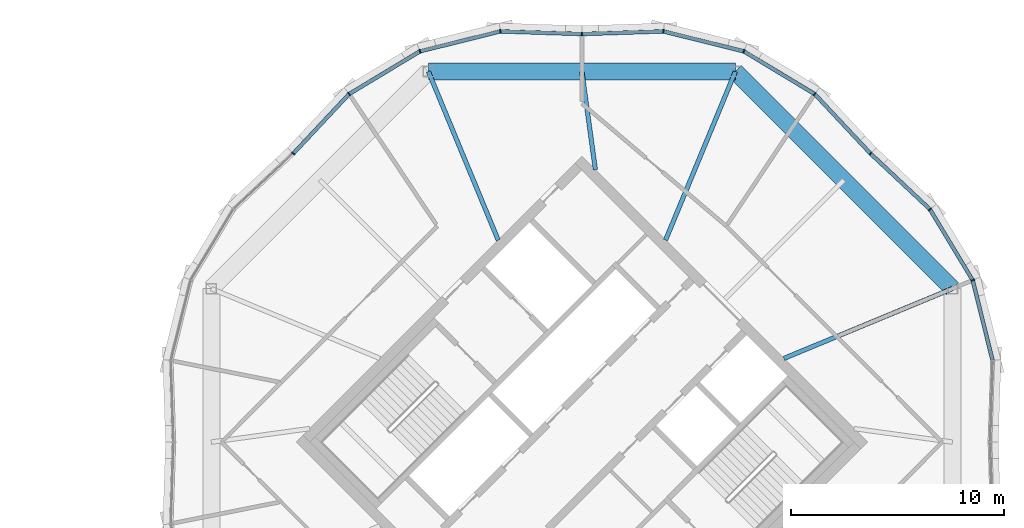
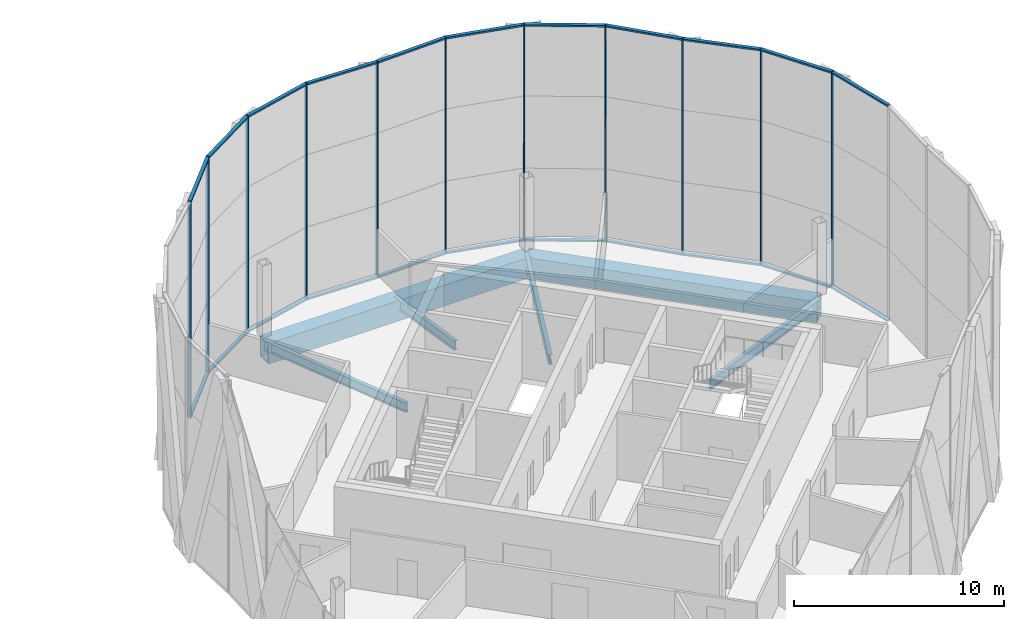
# One storey, part 11 of 23: 33 members, 6 beams, 3 elements without a shape of their own.
"""IFC4 building model written with IfcOpenShell, lengths in metres."""

from ifc_helpers import new_model, si_unit, direction, frame, origin, origin_2d, place, context, subcontext, project, spatial, rectangle, hollow_rectangle, i_section, extrude, material, material_profile, profile_set, type_object, element, aggregate, save


model = new_model("IFC4")

# Units and contexts
model_context = context("Model", 3, precision=1e-05, world=origin(), true_north=direction((0.0, 1.0)))
body_context = subcontext(model_context, "Body", "Model", "MODEL_VIEW")
ifc_project = project(units=[si_unit("LENGTHUNIT", "METRE"), si_unit("AREAUNIT", "SQUARE_METRE"), si_unit("VOLUMEUNIT", "CUBIC_METRE"), si_unit("PLANEANGLEUNIT", "RADIAN"), si_unit("MASSUNIT", "GRAM", prefix="KILO")], contexts=[model_context])

# Site, building, storey
site_placement = place(None, origin())
site = spatial("IfcSite", under=ifc_project, at=site_placement, CompositionType="ELEMENT")
building_placement = place(site_placement, origin())
building = spatial("IfcBuilding", under=site, at=building_placement, Name="Ogive Gate Towers", CompositionType="ELEMENT")
storey_placement = place(building_placement, frame((0.0, 0.0, 256.199951171875)))
storey = spatial("IfcBuildingStorey", under=building, at=storey_placement, Name="L60", CompositionType="ELEMENT", Elevation=256.199951171875)

# Beams
ifc_material_1 = material(Name="Steel SM460", Category="steel")
ifc_material_profile_1 = material_profile(ifc_material_1, hollow_rectangle(XDim=0.800048828125, YDim=1.199951171875, WallThickness=0.050048828125, at=origin_2d()), Name="BX 1200x800x50")
ifc_profile_set_1 = profile_set([ifc_material_profile_1], Name="Steel SM460")
beam_type_1 = type_object("IfcBeamType", Name="Edge girder BX 1200x800x50", PredefinedType="BEAM", material=ifc_profile_set_1)
beam_1_placement = place(storey_placement, frame((53.42431640625, 7.217529296875, -0.89990234375), z_axis=(-0.707106781187, 0.707106781187, 0.0), x_axis=(-0.707106781187, -0.707106781187, 0.0)))
element("IfcBeam", 1, at=beam_1_placement, inside=storey, type_object=beam_type_1, Name="T2/L60/SBM021", PredefinedType="BEAM", context=body_context, shape_type="SweptSolid", body=[
    extrude(hollow_rectangle(XDim=0.800048828125, YDim=1.199951171875, WallThickness=0.050048828125, at=origin_2d()), origin(), (0.0, 0.0, 1.0), 14.4345703125),
])
beam_2_placement = place(storey_placement, frame((43.217529296875, 17.42431640625, -0.89990234375), z_axis=(-1.0, 0.0, 0.0), x_axis=(0.0, -1.0, 0.0)))
element("IfcBeam", 2, at=beam_2_placement, inside=storey, type_object=beam_type_1, Name="T2/L60/SBM022", PredefinedType="BEAM", context=body_context, shape_type="SweptSolid", body=[
    extrude(hollow_rectangle(XDim=0.800048828125, YDim=1.199951171875, WallThickness=0.050048828125, at=origin_2d()), origin(), (0.0, 0.0, 1.0), 14.43505859375),
])
ifc_material_2 = material(Name="Steel SM355", Category="steel")
ifc_material_profile_2 = material_profile(ifc_material_2, i_section(OverallWidth=0.2099609375, OverallDepth=0.550048828125, WebThickness=0.010986328125, FlangeThickness=0.01708984375, FilletRadius=0.02392578125, at=origin_2d()), Name="IPE 550")
ifc_profile_set_2 = profile_set([ifc_material_profile_2], Name="Steel SM355")
beam_type_2 = type_object("IfcBeamType", Name="Radial floor beam IPE 550", PredefinedType="BEAM", material=ifc_profile_set_2)
for number, where, z_axis, x_axis, name in (
    (3, (45.5, 3.93505859375, -0.574951171875), (0.923874941579, 0.382694515667, 0.0), (-0.382694515667, 0.923874941579, 0.0), "T2/L60/SBM009"),
    (4, (39.93505859375, 9.5, -0.574951171875), (0.382694515667, 0.923874941579, 0.0), (-0.923874941579, 0.382694515667, 0.0), "T2/L60/SBM011"),
):
    element("IfcBeam", number, at=place(storey_placement, frame(where, z_axis=z_axis, x_axis=x_axis)), inside=storey, type_object=beam_type_2, Name=name, PredefinedType="BEAM", context=body_context, shape_type="SweptSolid", body=[
        extrude(i_section(OverallWidth=0.2099609375, OverallDepth=0.550048828125, WebThickness=0.010986328125, FlangeThickness=0.01708984375, FilletRadius=0.02392578125, at=origin_2d()), origin(), (0.0, 0.0, 1.0), 8.5771484375),
    ])
beam_3_placement = place(storey_placement, frame((36.636474609375, 12.798583984375, -0.574951171875), z_axis=(-0.136310067219, 0.990666223092, 0.0), x_axis=(-0.990666223092, -0.136310067219, 0.0)))
element("IfcBeam", 5, at=beam_3_placement, inside=storey, type_object=beam_type_2, Name="T2/L60/SBM012", PredefinedType="BEAM", context=body_context, shape_type="SweptSolid", body=[
    extrude(i_section(OverallWidth=0.2099609375, OverallDepth=0.550048828125, WebThickness=0.010986328125, FlangeThickness=0.01708984375, FilletRadius=0.02392578125, at=origin_2d()), origin(), (0.0, 0.0, 1.0), 4.66943359375),
])
beam_4_placement = place(storey_placement, frame((32.06494140625, 9.5, -0.574951171875), z_axis=(-0.382694515667, 0.923874941579, 0.0), x_axis=(-0.923874941579, -0.382694515667, 0.0)))
element("IfcBeam", 6, at=beam_4_placement, inside=storey, type_object=beam_type_2, Name="T2/L60/SBM013", PredefinedType="BEAM", context=body_context, shape_type="SweptSolid", body=[
    extrude(i_section(OverallWidth=0.2099609375, OverallDepth=0.550048828125, WebThickness=0.010986328125, FlangeThickness=0.01708984375, FilletRadius=0.02392578125, at=origin_2d()), origin(), (0.0, 0.0, 1.0), 8.5771484375),
])

# Curtain wall, members
ifc_material_3 = material(Name="Pale metal aluminium", Category="aluminium")
curtain_wall_type = type_object("IfcCurtainWallType", Name="Tower unitised wall, high zone", PredefinedType="NOTDEFINED", material=ifc_material_3)
curtain_wall_1_placement = place(storey_placement, origin())
curtain_wall_1 = element("IfcCurtainWall", 7, at=curtain_wall_1_placement, inside=storey, type_object=curtain_wall_type, Name="CW2 T2 ECW01", PredefinedType="NOTDEFINED")
ifc_material_profile_3 = material_profile(ifc_material_3, rectangle(XDim=0.179931640625, YDim=0.06005859375, at=origin_2d()), Name="60 x 180 aluminium box")
ifc_profile_set_3 = profile_set([ifc_material_profile_3], Name="Pale metal aluminium")
member_type_1 = type_object("IfcMemberType", Name="Tower unitised wall, high zone mullion 60 x 180", PredefinedType="MULLION", material=ifc_profile_set_3)
member_1_placement = place(storey_placement, frame((54.376953125, 7.612060546875, -0.300048828125), z_axis=(0.0, 0.0, 1.0), x_axis=(0.923879532511, 0.382683432365, 0.0)))
member_1 = element("IfcMember", 8, at=member_1_placement, type_object=member_type_1, Name="CW2 mullion", PredefinedType="MULLION", context=body_context, shape_type="SweptSolid", body=[
    extrude(rectangle(XDim=0.179931640625, YDim=0.06005859375, at=origin_2d()), origin(), (0.0, 0.0, 1.0), 12.60009765625),
])
member_2_placement = place(storey_placement, frame((52.367431640625, 10.9462890625, -0.300048828125), z_axis=(0.0, 0.0, 1.0), x_axis=(0.777574146191, 0.628791258825, 0.0)))
member_2 = element("IfcMember", 9, at=member_2_placement, type_object=member_type_1, Name="CW2 mullion", PredefinedType="MULLION", context=body_context, shape_type="SweptSolid", body=[
    extrude(rectangle(XDim=0.179931640625, YDim=0.06005859375, at=origin_2d()), origin(), (0.0, 0.0, 1.0), 12.60009765625),
])
member_3_placement = place(storey_placement, frame((49.569580078125, 13.569091796875, -0.300048828125), z_axis=(0.0, 0.0, 1.0), x_axis=(0.68393616645, 0.729541856388, 0.0)))
member_3 = element("IfcMember", 10, at=member_3_placement, type_object=member_type_1, Name="CW2 mullion", PredefinedType="MULLION", context=body_context, shape_type="SweptSolid", body=[
    extrude(rectangle(XDim=0.179931640625, YDim=0.06005859375, at=origin_2d()), origin(), (0.0, 0.0, 1.0), 12.60009765625),
])

curtain_wall_2_placement = place(storey_placement, origin())
curtain_wall_2 = element("IfcCurtainWall", 11, at=curtain_wall_2_placement, inside=storey, type_object=curtain_wall_type, Name="CW2 T2 ECW02", PredefinedType="NOTDEFINED")
member_4_placement = place(storey_placement, frame((46.9462890625, 16.367431640625, -0.300048828125), z_axis=(0.0, 0.0, 1.0), x_axis=(0.628791258825, 0.777574146191, 0.0)))
member_4 = element("IfcMember", 12, at=member_4_placement, type_object=member_type_1, Name="CW2 mullion", PredefinedType="MULLION", context=body_context, shape_type="SweptSolid", body=[
    extrude(rectangle(XDim=0.179931640625, YDim=0.06005859375, at=origin_2d()), origin(), (0.0, 0.0, 1.0), 12.60009765625),
])
member_5_placement = place(storey_placement, frame((43.612060546875, 18.376953125, -0.300048828125), z_axis=(0.0, 0.0, 1.0), x_axis=(0.382683432365, 0.923879532511, 0.0)))
member_5 = element("IfcMember", 13, at=member_5_placement, type_object=member_type_1, Name="CW2 mullion", PredefinedType="MULLION", context=body_context, shape_type="SweptSolid", body=[
    extrude(rectangle(XDim=0.179931640625, YDim=0.06005859375, at=origin_2d()), origin(), (0.0, 0.0, 1.0), 12.60009765625),
])
member_6_placement = place(storey_placement, frame((39.833251953125, 19.31396484375, -0.300048828125), z_axis=(0.0, 0.0, 1.0), x_axis=(0.105205388581, 0.994450514713, 0.0)))
member_6 = element("IfcMember", 14, at=member_6_placement, type_object=member_type_1, Name="CW2 mullion", PredefinedType="MULLION", context=body_context, shape_type="SweptSolid", body=[
    extrude(rectangle(XDim=0.179931640625, YDim=0.06005859375, at=origin_2d()), origin(), (0.0, 0.0, 1.0), 12.60009765625),
])
member_7_placement = place(storey_placement, frame((36.000244140625, 19.190185546875, -0.300048828125), z_axis=(0.0, 0.0, 1.0), x_axis=(-0.032248092615, 0.999479895007, 0.0)))
member_7 = element("IfcMember", 15, at=member_7_placement, type_object=member_type_1, Name="CW2 mullion", PredefinedType="MULLION", context=body_context, shape_type="SweptSolid", body=[
    extrude(rectangle(XDim=0.179931640625, YDim=0.06005859375, at=origin_2d()), origin(), (0.0, 0.0, 1.0), 12.60009765625),
])

curtain_wall_3_placement = place(storey_placement, origin())
curtain_wall_3 = element("IfcCurtainWall", 16, at=curtain_wall_3_placement, inside=storey, type_object=curtain_wall_type, Name="CW2 T2 ECW03", PredefinedType="NOTDEFINED")
member_8_placement = place(storey_placement, frame((32.166748046875, 19.31396484375, -0.300048828125), z_axis=(0.0, 0.0, 1.0), x_axis=(-0.105205388581, 0.994450514713, 0.0)))
member_8 = element("IfcMember", 17, at=member_8_placement, type_object=member_type_1, Name="CW2 mullion", PredefinedType="MULLION", context=body_context, shape_type="SweptSolid", body=[
    extrude(rectangle(XDim=0.179931640625, YDim=0.06005859375, at=origin_2d()), origin(), (0.0, 0.0, 1.0), 12.60009765625),
])
member_9_placement = place(storey_placement, frame((28.387939453125, 18.376953125, -0.300048828125), z_axis=(0.0, 0.0, 1.0), x_axis=(-0.382683432365, 0.923879532511, 0.0)))
member_9 = element("IfcMember", 18, at=member_9_placement, type_object=member_type_1, Name="CW2 mullion", PredefinedType="MULLION", context=body_context, shape_type="SweptSolid", body=[
    extrude(rectangle(XDim=0.179931640625, YDim=0.06005859375, at=origin_2d()), origin(), (0.0, 0.0, 1.0), 12.60009765625),
])
member_10_placement = place(storey_placement, frame((25.0537109375, 16.367431640625, -0.300048828125), z_axis=(0.0, 0.0, 1.0), x_axis=(-0.628791258825, 0.777574146191, 0.0)))
member_10 = element("IfcMember", 19, at=member_10_placement, type_object=member_type_1, Name="CW2 mullion", PredefinedType="MULLION", context=body_context, shape_type="SweptSolid", body=[
    extrude(rectangle(XDim=0.179931640625, YDim=0.06005859375, at=origin_2d()), origin(), (0.0, 0.0, 1.0), 12.60009765625),
])
member_11_placement = place(storey_placement, frame((22.430908203125, 13.569580078125, -0.300048828125), z_axis=(0.0, 0.0, 1.0), x_axis=(-0.729541856388, 0.68393616645, 0.0)))
member_11 = element("IfcMember", 20, at=member_11_placement, type_object=member_type_1, Name="CW2 mullion", PredefinedType="MULLION", context=body_context, shape_type="SweptSolid", body=[
    extrude(rectangle(XDim=0.179931640625, YDim=0.06005859375, at=origin_2d()), origin(), (0.0, 0.0, 1.0), 12.60009765625),
])

# Member
ifc_material_profile_4 = material_profile(ifc_material_3, rectangle(XDim=0.179931640625, YDim=0.10009765625, at=origin_2d()), Name="100 x 180 aluminium box")
ifc_profile_set_4 = profile_set([ifc_material_profile_4], Name="Pale metal aluminium")
member_type_2 = type_object("IfcMemberType", Name="Tower unitised wall, high zone transom 100 x 180", PredefinedType="USERDEFINED", material=ifc_profile_set_4)
member_12_placement = place(storey_placement, frame((55.306884765625, 3.861083984375, 12.25), z_axis=(-0.240648228376, 0.97061239956, 0.0), x_axis=(-0.97061239956, -0.240648228376, 0.0)))
member_12 = element("IfcMember", 21, at=member_12_placement, type_object=member_type_2, Name="CW2 transom", ObjectType="TRANSOM", PredefinedType="USERDEFINED", context=body_context, shape_type="SweptSolid", body=[
    extrude(rectangle(XDim=0.179931640625, YDim=0.10009765625, at=origin_2d()), origin(), (0.0, 0.0, 1.0), 3.8359375),
])

member_13_placement = place(storey_placement, frame((55.306884765625, 3.861083984375, -0.25), z_axis=(-0.240648228376, 0.97061239956, 0.0), x_axis=(-0.97061239956, -0.240648228376, 0.0)))
member_13 = element("IfcMember", 22, at=member_13_placement, type_object=member_type_2, Name="CW2 transom", ObjectType="TRANSOM", PredefinedType="USERDEFINED", context=body_context, shape_type="SweptSolid", body=[
    extrude(rectangle(XDim=0.179931640625, YDim=0.10009765625, at=origin_2d()), origin(), (0.0, 0.0, 1.0), 3.8359375),
])

member_14_placement = place(storey_placement, frame((54.3623046875, 7.63623046875, 12.25), z_axis=(-0.516188713906, 0.856474875076, 0.0), x_axis=(-0.856474875076, -0.516188713906, 0.0)))
member_14 = element("IfcMember", 23, at=member_14_placement, type_object=member_type_2, Name="CW2 transom", ObjectType="TRANSOM", PredefinedType="USERDEFINED", context=body_context, shape_type="SweptSolid", body=[
    extrude(rectangle(XDim=0.179931640625, YDim=0.10009765625, at=origin_2d()), origin(), (0.0, 0.0, 1.0), 3.836181640625),
])

member_15_placement = place(storey_placement, frame((54.3623046875, 7.63623046875, -0.25), z_axis=(-0.516188713906, 0.856474875076, 0.0), x_axis=(-0.856474875076, -0.516188713906, 0.0)))
member_15 = element("IfcMember", 24, at=member_15_placement, type_object=member_type_2, Name="CW2 transom", ObjectType="TRANSOM", PredefinedType="USERDEFINED", context=body_context, shape_type="SweptSolid", body=[
    extrude(rectangle(XDim=0.179931640625, YDim=0.10009765625, at=origin_2d()), origin(), (0.0, 0.0, 1.0), 3.836181640625),
])

member_16_placement = place(storey_placement, frame((52.3466796875, 10.9658203125, 12.25), z_axis=(-0.729559380509, 0.683917473319, 0.0), x_axis=(-0.683917473319, -0.729559380509, 0.0)))
member_16 = element("IfcMember", 25, at=member_16_placement, type_object=member_type_2, Name="CW2 transom", ObjectType="TRANSOM", PredefinedType="USERDEFINED", context=body_context, shape_type="SweptSolid", body=[
    extrude(rectangle(XDim=0.179931640625, YDim=0.10009765625, at=origin_2d()), origin(), (0.0, 0.0, 1.0), 3.7763671875),
])

member_17_placement = place(storey_placement, frame((52.3466796875, 10.9658203125, -0.25), z_axis=(-0.729559380509, 0.683917473319, 0.0), x_axis=(-0.683917473319, -0.729559380509, 0.0)))
member_17 = element("IfcMember", 26, at=member_17_placement, type_object=member_type_2, Name="CW2 transom", ObjectType="TRANSOM", PredefinedType="USERDEFINED", context=body_context, shape_type="SweptSolid", body=[
    extrude(rectangle(XDim=0.179931640625, YDim=0.10009765625, at=origin_2d()), origin(), (0.0, 0.0, 1.0), 3.7763671875),
])

aggregate(curtain_wall_1, [member_1, member_12, member_13, member_2, member_14, member_15, member_3, member_16, member_17])

member_18_placement = place(storey_placement, frame((49.548583984375, 13.591552734375, 12.25), z_axis=(-0.683917473319, 0.729559380509, 0.0), x_axis=(-0.729559380509, -0.683917473319, 0.0)))
member_18 = element("IfcMember", 27, at=member_18_placement, type_object=member_type_2, Name="CW2 transom", ObjectType="TRANSOM", PredefinedType="USERDEFINED", context=body_context, shape_type="SweptSolid", body=[
    extrude(rectangle(XDim=0.179931640625, YDim=0.10009765625, at=origin_2d()), origin(), (0.0, 0.0, 1.0), 3.7763671875),
])

member_19_placement = place(storey_placement, frame((49.548583984375, 13.591552734375, -0.25), z_axis=(-0.683917473319, 0.729559380509, 0.0), x_axis=(-0.729559380509, -0.683917473319, 0.0)))
member_19 = element("IfcMember", 28, at=member_19_placement, type_object=member_type_2, Name="CW2 transom", ObjectType="TRANSOM", PredefinedType="USERDEFINED", context=body_context, shape_type="SweptSolid", body=[
    extrude(rectangle(XDim=0.179931640625, YDim=0.10009765625, at=origin_2d()), origin(), (0.0, 0.0, 1.0), 3.7763671875),
])

member_20_placement = place(storey_placement, frame((46.921875, 16.382080078125, 12.25), z_axis=(-0.856474875076, 0.516188713906, 0.0), x_axis=(-0.516188713906, -0.856474875076, 0.0)))
member_20 = element("IfcMember", 29, at=member_20_placement, type_object=member_type_2, Name="CW2 transom", ObjectType="TRANSOM", PredefinedType="USERDEFINED", context=body_context, shape_type="SweptSolid", body=[
    extrude(rectangle(XDim=0.179931640625, YDim=0.10009765625, at=origin_2d()), origin(), (0.0, 0.0, 1.0), 3.836181640625),
])

member_21_placement = place(storey_placement, frame((46.921875, 16.382080078125, -0.25), z_axis=(-0.856474875076, 0.516188713906, 0.0), x_axis=(-0.516188713906, -0.856474875076, 0.0)))
member_21 = element("IfcMember", 30, at=member_21_placement, type_object=member_type_2, Name="CW2 transom", ObjectType="TRANSOM", PredefinedType="USERDEFINED", context=body_context, shape_type="SweptSolid", body=[
    extrude(rectangle(XDim=0.179931640625, YDim=0.10009765625, at=origin_2d()), origin(), (0.0, 0.0, 1.0), 3.836181640625),
])

member_22_placement = place(storey_placement, frame((43.584228515625, 18.3837890625, 12.25), z_axis=(-0.97061239956, 0.240648228376, 0.0), x_axis=(-0.240648228376, -0.97061239956, 0.0)))
member_22 = element("IfcMember", 31, at=member_22_placement, type_object=member_type_2, Name="CW2 transom", ObjectType="TRANSOM", PredefinedType="USERDEFINED", context=body_context, shape_type="SweptSolid", body=[
    extrude(rectangle(XDim=0.179931640625, YDim=0.10009765625, at=origin_2d()), origin(), (0.0, 0.0, 1.0), 3.8359375),
])

member_23_placement = place(storey_placement, frame((43.584228515625, 18.3837890625, -0.25), z_axis=(-0.97061239956, 0.240648228376, 0.0), x_axis=(-0.240648228376, -0.97061239956, 0.0)))
member_23 = element("IfcMember", 32, at=member_23_placement, type_object=member_type_2, Name="CW2 transom", ObjectType="TRANSOM", PredefinedType="USERDEFINED", context=body_context, shape_type="SweptSolid", body=[
    extrude(rectangle(XDim=0.179931640625, YDim=0.10009765625, at=origin_2d()), origin(), (0.0, 0.0, 1.0), 3.8359375),
])

member_24_placement = place(storey_placement, frame((39.8046875, 19.312744140625, 12.25), z_axis=(-0.99948159176, -0.032195461365, 0.0), x_axis=(0.032195461365, -0.99948159176, 0.0)))
member_24 = element("IfcMember", 33, at=member_24_placement, type_object=member_type_2, Name="CW2 transom", ObjectType="TRANSOM", PredefinedType="USERDEFINED", context=body_context, shape_type="SweptSolid", body=[
    extrude(rectangle(XDim=0.179931640625, YDim=0.10009765625, at=origin_2d()), origin(), (0.0, 0.0, 1.0), 3.7763671875),
])

member_25_placement = place(storey_placement, frame((39.8046875, 19.312744140625, -0.25), z_axis=(-0.99948159176, -0.032195461365, 0.0), x_axis=(0.032195461365, -0.99948159176, 0.0)))
member_25 = element("IfcMember", 34, at=member_25_placement, type_object=member_type_2, Name="CW2 transom", ObjectType="TRANSOM", PredefinedType="USERDEFINED", context=body_context, shape_type="SweptSolid", body=[
    extrude(rectangle(XDim=0.179931640625, YDim=0.10009765625, at=origin_2d()), origin(), (0.0, 0.0, 1.0), 3.7763671875),
])

aggregate(curtain_wall_2, [member_4, member_18, member_19, member_5, member_20, member_21, member_6, member_22, member_23, member_7, member_24, member_25])

member_26_placement = place(storey_placement, frame((35.9697265625, 19.191162109375, 12.25), z_axis=(-0.99948159176, 0.032195461365, 0.0), x_axis=(-0.032195461365, -0.99948159176, 0.0)))
member_26 = element("IfcMember", 35, at=member_26_placement, type_object=member_type_2, Name="CW2 transom", ObjectType="TRANSOM", PredefinedType="USERDEFINED", context=body_context, shape_type="SweptSolid", body=[
    extrude(rectangle(XDim=0.179931640625, YDim=0.10009765625, at=origin_2d()), origin(), (0.0, 0.0, 1.0), 3.7763671875),
])

member_27_placement = place(storey_placement, frame((35.9697265625, 19.191162109375, -0.25), z_axis=(-0.99948159176, 0.032195461365, 0.0), x_axis=(-0.032195461365, -0.99948159176, 0.0)))
member_27 = element("IfcMember", 36, at=member_27_placement, type_object=member_type_2, Name="CW2 transom", ObjectType="TRANSOM", PredefinedType="USERDEFINED", context=body_context, shape_type="SweptSolid", body=[
    extrude(rectangle(XDim=0.179931640625, YDim=0.10009765625, at=origin_2d()), origin(), (0.0, 0.0, 1.0), 3.7763671875),
])

member_28_placement = place(storey_placement, frame((32.138916015625, 19.306884765625, 12.25), z_axis=(-0.97061239956, -0.240648228376, 0.0), x_axis=(0.240648228376, -0.97061239956, 0.0)))
member_28 = element("IfcMember", 37, at=member_28_placement, type_object=member_type_2, Name="CW2 transom", ObjectType="TRANSOM", PredefinedType="USERDEFINED", context=body_context, shape_type="SweptSolid", body=[
    extrude(rectangle(XDim=0.179931640625, YDim=0.10009765625, at=origin_2d()), origin(), (0.0, 0.0, 1.0), 3.8359375),
])

member_29_placement = place(storey_placement, frame((32.138916015625, 19.306884765625, -0.25), z_axis=(-0.97061239956, -0.240648228376, 0.0), x_axis=(0.240648228376, -0.97061239956, 0.0)))
member_29 = element("IfcMember", 38, at=member_29_placement, type_object=member_type_2, Name="CW2 transom", ObjectType="TRANSOM", PredefinedType="USERDEFINED", context=body_context, shape_type="SweptSolid", body=[
    extrude(rectangle(XDim=0.179931640625, YDim=0.10009765625, at=origin_2d()), origin(), (0.0, 0.0, 1.0), 3.8359375),
])

member_30_placement = place(storey_placement, frame((28.36376953125, 18.3623046875, 12.25), z_axis=(-0.856474875076, -0.516188713906, 0.0), x_axis=(0.516188713906, -0.856474875076, 0.0)))
member_30 = element("IfcMember", 39, at=member_30_placement, type_object=member_type_2, Name="CW2 transom", ObjectType="TRANSOM", PredefinedType="USERDEFINED", context=body_context, shape_type="SweptSolid", body=[
    extrude(rectangle(XDim=0.179931640625, YDim=0.10009765625, at=origin_2d()), origin(), (0.0, 0.0, 1.0), 3.836181640625),
])

member_31_placement = place(storey_placement, frame((28.36376953125, 18.3623046875, -0.25), z_axis=(-0.856474875076, -0.516188713906, 0.0), x_axis=(0.516188713906, -0.856474875076, 0.0)))
member_31 = element("IfcMember", 40, at=member_31_placement, type_object=member_type_2, Name="CW2 transom", ObjectType="TRANSOM", PredefinedType="USERDEFINED", context=body_context, shape_type="SweptSolid", body=[
    extrude(rectangle(XDim=0.179931640625, YDim=0.10009765625, at=origin_2d()), origin(), (0.0, 0.0, 1.0), 3.836181640625),
])

member_32_placement = place(storey_placement, frame((25.0341796875, 16.3466796875, 12.25), z_axis=(-0.683917473319, -0.729559380509, 0.0), x_axis=(0.729559380509, -0.683917473319, 0.0)))
member_32 = element("IfcMember", 41, at=member_32_placement, type_object=member_type_2, Name="CW2 transom", ObjectType="TRANSOM", PredefinedType="USERDEFINED", context=body_context, shape_type="SweptSolid", body=[
    extrude(rectangle(XDim=0.179931640625, YDim=0.10009765625, at=origin_2d()), origin(), (0.0, 0.0, 1.0), 3.7763671875),
])

member_33_placement = place(storey_placement, frame((25.0341796875, 16.3466796875, -0.25), z_axis=(-0.683917473319, -0.729559380509, 0.0), x_axis=(0.729559380509, -0.683917473319, 0.0)))
member_33 = element("IfcMember", 42, at=member_33_placement, type_object=member_type_2, Name="CW2 transom", ObjectType="TRANSOM", PredefinedType="USERDEFINED", context=body_context, shape_type="SweptSolid", body=[
    extrude(rectangle(XDim=0.179931640625, YDim=0.10009765625, at=origin_2d()), origin(), (0.0, 0.0, 1.0), 3.7763671875),
])

aggregate(curtain_wall_3, [member_8, member_26, member_27, member_9, member_28, member_29, member_10, member_30, member_31, member_11, member_32, member_33])

save(model, "model.ifc")
